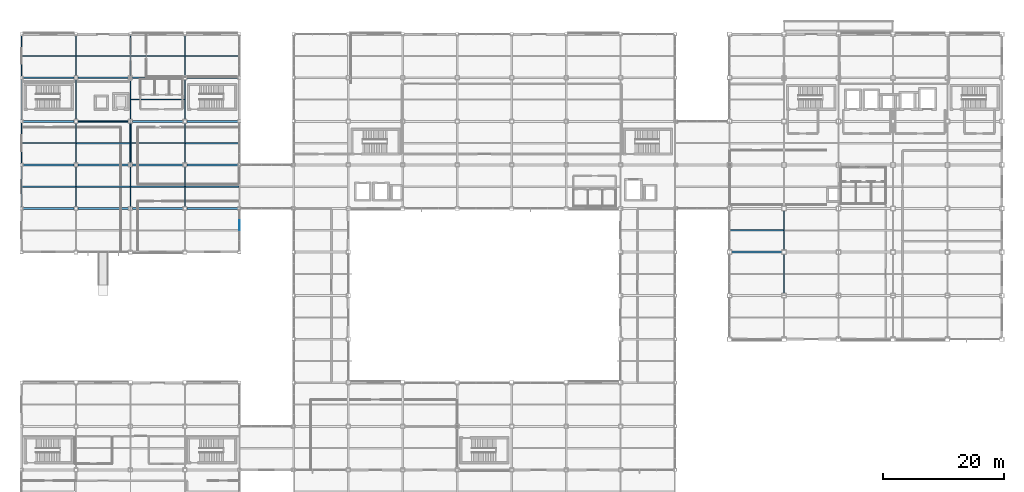
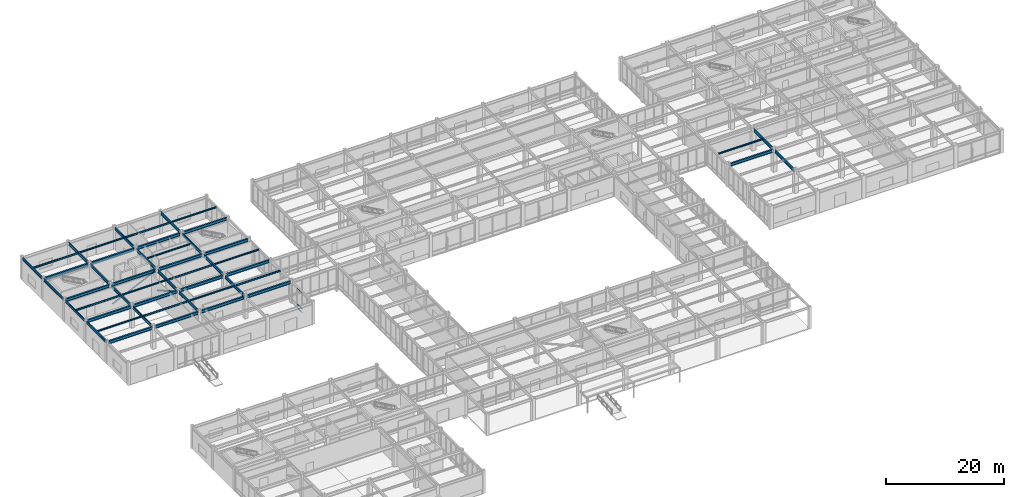
# One storey, part 48 of 112: 49 beams, 5 members, 1 element without a shape of its own.
"""IFC4 building model written with IfcOpenShell, lengths in metres."""

from ifc_helpers import new_model, si_unit, direction, frame, origin, origin_2d, place, context, subcontext, project, spatial, hollow_rectangle, hollow_circle, i_section, extrude, material, material_profile, profile_set, type_object, element, aggregate, save


model = new_model("IFC4")

# Units and contexts
model_context = context("Model", 3, precision=1e-05, world=origin(), true_north=direction((0.0, 1.0)))
body_context = subcontext(model_context, "Body", "Model", "MODEL_VIEW")
ifc_project = project(units=[si_unit("LENGTHUNIT", "METRE"), si_unit("AREAUNIT", "SQUARE_METRE"), si_unit("VOLUMEUNIT", "CUBIC_METRE"), si_unit("PLANEANGLEUNIT", "RADIAN"), si_unit("MASSUNIT", "GRAM", prefix="KILO")], contexts=[model_context])

# Site, building, storey
site_placement = place(None, origin())
site = spatial("IfcSite", under=ifc_project, at=site_placement, CompositionType="ELEMENT")
building_placement = place(site_placement, origin())
building = spatial("IfcBuilding", under=site, at=building_placement, Name="Kazanami Central Library", CompositionType="ELEMENT")
storey_placement = place(building_placement, origin())
storey = spatial("IfcBuildingStorey", under=building, at=storey_placement, Name="L01", CompositionType="ELEMENT", Elevation=0.0)

# Beams
ifc_material_1 = material(Name="Steel SN400B (235 MPa)", Category="steel")
ifc_material_profile_1 = material_profile(ifc_material_1, i_section(OverallWidth=0.175048828125, OverallDepth=0.35009765625, WebThickness=0.007080078125, FlangeThickness=0.010986328125, at=origin_2d()), Name="H-350x175x7x11")
ifc_profile_set_1 = profile_set([ifc_material_profile_1], Name="Steel SN400B (235 MPa)")
beam_type_1 = type_object("IfcBeamType", Name="BM-B-S2", PredefinedType="JOIST", material=ifc_profile_set_1)
for number, where, z_axis, x_axis, name in (
    (1, (0.097900390625, 75.60009765625, 4.3798828125), (1.0, 0.0, 0.0), (0.0, 1.0, 0.0), "Composite Secondary Joist B-S2 L01 Bay 1/L.1"),
    (2, (0.097900390625, 90.0, 4.3798828125), (1.0, 0.0, 0.0), (0.0, 1.0, 0.0), "Composite Secondary Joist B-S2 L01 Bay 1/N.1"),
    (3, (9.097900390625, 68.39990234375, 4.3798828125), (1.0, 0.0, 0.0), (0.0, 1.0, 0.0), "Composite Secondary Joist B-S2 L01 Bay 2/K.1"),
    (4, (18.097900390625, 75.60009765625, 4.3798828125), (1.0, 0.0, 0.0), (0.0, 1.0, 0.0), "Composite Secondary Joist B-S2 L01 Bay 3/L.1"),
    (5, (18.097900390625, 90.0, 4.3798828125), (1.0, 0.0, 0.0), (0.0, 1.0, 0.0), "Composite Secondary Joist B-S2 L01 Bay 3/N.1"),
    (6, (27.097900390625, 68.39990234375, 4.3798828125), (1.0, 0.0, 0.0), (0.0, 1.0, 0.0), "Composite Secondary Joist B-S2 L01 Bay 4/K.1"),
):
    element("IfcBeam", number, at=place(storey_placement, frame(where, z_axis=z_axis, x_axis=x_axis)), inside=storey, type_object=beam_type_1, Name=name, PredefinedType="JOIST", context=body_context, shape_type="SweptSolid", body=[
        extrude(i_section(OverallWidth=0.175048828125, OverallDepth=0.35009765625, WebThickness=0.007080078125, FlangeThickness=0.010986328125, at=origin_2d()), origin(), (0.0, 0.0, 1.0), 8.80419921875),
    ])
ifc_material_profile_2 = material_profile(ifc_material_1, i_section(OverallWidth=0.199951171875, OverallDepth=0.2939453125, WebThickness=0.008056640625, FlangeThickness=0.011962890625, at=origin_2d()), Name="H-294x200x8x12")
ifc_profile_set_2 = profile_set([ifc_material_profile_2], Name="Steel SN400B (235 MPa)")
beam_type_2 = type_object("IfcBeamType", Name="BM-B-S5", PredefinedType="JOIST", material=ifc_profile_set_2)
for number, where, z_axis, x_axis, name in (
    (7, (0.097900390625, 68.39990234375, 4.407958984375), (1.0, 0.0, 0.0), (0.0, 1.0, 0.0), "Composite Secondary Joist B-S5 L01 Bay 1/K.1"),
    (8, (9.097900390625, 75.60009765625, 4.407958984375), (1.0, 0.0, 0.0), (0.0, 1.0, 0.0), "Composite Secondary Joist B-S5 L01 Bay 2/L.1"),
    (9, (9.097900390625, 90.0, 4.407958984375), (1.0, 0.0, 0.0), (0.0, 1.0, 0.0), "Composite Secondary Joist B-S5 L01 Bay 2/N.1"),
    (10, (18.097900390625, 68.39990234375, 4.407958984375), (1.0, 0.0, 0.0), (0.0, 1.0, 0.0), "Composite Secondary Joist B-S5 L01 Bay 3/K.1"),
    (11, (18.097900390625, 82.800048828125, 4.407958984375), (1.0, 0.0, 0.0), (0.0, 1.0, 0.0), "Composite Secondary Joist B-S5 L01 Bay 3/M.1"),
    (12, (27.097900390625, 75.60009765625, 4.407958984375), (1.0, 0.0, 0.0), (0.0, 1.0, 0.0), "Composite Secondary Joist B-S5 L01 Bay 4/L.1"),
    (13, (27.097900390625, 90.0, 4.407958984375), (1.0, 0.0, 0.0), (0.0, 1.0, 0.0), "Composite Secondary Joist B-S5 L01 Bay 4/N.1"),
    (14, (117.097900390625, 61.199951171875, 4.407958984375), (1.0, 0.0, 0.0), (0.0, 1.0, 0.0), "Composite Secondary Joist B-S5 L01 Bay 14/J.1"),
):
    element("IfcBeam", number, at=place(storey_placement, frame(where, z_axis=z_axis, x_axis=x_axis)), inside=storey, type_object=beam_type_2, Name=name, PredefinedType="JOIST", context=body_context, shape_type="SweptSolid", body=[
        extrude(i_section(OverallWidth=0.199951171875, OverallDepth=0.2939453125, WebThickness=0.008056640625, FlangeThickness=0.011962890625, at=origin_2d()), origin(), (0.0, 0.0, 1.0), 8.80419921875),
    ])
ifc_material_2 = material(Name="Steel SN490B (325 MPa)", Category="steel")
ifc_material_profile_3 = material_profile(ifc_material_2, i_section(OverallWidth=0.300048828125, OverallDepth=0.60009765625, WebThickness=0.011962890625, FlangeThickness=0.02001953125, at=origin_2d()), Name="H-600x300x12x20")
ifc_profile_set_3 = profile_set([ifc_material_profile_3], Name="Steel SN490B (325 MPa)")
beam_type_3 = type_object("IfcBeamType", Name="BM-G-X1", PredefinedType="BEAM", material=ifc_profile_set_3)
beam_1_placement = place(storey_placement, frame((117.347900390625, 57.60009765625, 4.2548828125), z_axis=(1.0, 0.0, 0.0), x_axis=(0.0, 1.0, 0.0)))
element("IfcBeam", 15, at=beam_1_placement, inside=storey, type_object=beam_type_3, Name="Girder G-X1 L01 J/14-15", PredefinedType="BEAM", context=body_context, shape_type="SweptSolid", body=[
    extrude(i_section(OverallWidth=0.300048828125, OverallDepth=0.60009765625, WebThickness=0.011962890625, FlangeThickness=0.02001953125, at=origin_2d()), origin(), (0.0, 0.0, 1.0), 8.279052734375),
])
beam_2_placement = place(storey_placement, frame((0.248046875, 64.800048828125, 4.2548828125), z_axis=(1.0, 0.0, 0.0), x_axis=(0.0, 1.0, 0.0)))
element("IfcBeam", 16, at=beam_2_placement, inside=storey, type_object=beam_type_3, Name="Girder G-X1 L01 K/1-2", PredefinedType="BEAM", context=body_context, shape_type="SweptSolid", body=[
    extrude(i_section(OverallWidth=0.300048828125, OverallDepth=0.60009765625, WebThickness=0.011962890625, FlangeThickness=0.02001953125, at=origin_2d()), origin(), (0.0, 0.0, 1.0), 8.428955078125),
])
for number, where, z_axis, x_axis, name in (
    (17, (9.322998046875, 64.800048828125, 4.2548828125), (1.0, 0.0, 0.0), (0.0, 1.0, 0.0), "Girder G-X1 L01 K/2-3"),
    (18, (18.322998046875, 64.800048828125, 4.2548828125), (1.0, 0.0, 0.0), (0.0, 1.0, 0.0), "Girder G-X1 L01 K/3-4"),
):
    element("IfcBeam", number, at=place(storey_placement, frame(where, z_axis=z_axis, x_axis=x_axis)), inside=storey, type_object=beam_type_3, Name=name, PredefinedType="BEAM", context=body_context, shape_type="SweptSolid", body=[
        extrude(i_section(OverallWidth=0.300048828125, OverallDepth=0.60009765625, WebThickness=0.011962890625, FlangeThickness=0.02001953125, at=origin_2d()), origin(), (0.0, 0.0, 1.0), 8.35400390625),
    ])
for number, where, z_axis, x_axis, name in (
    (19, (27.322998046875, 64.800048828125, 4.2548828125), (1.0, 0.0, 0.0), (0.0, 1.0, 0.0), "Girder G-X1 L01 K/4-5"),
    (20, (0.248046875, 72.0, 4.2548828125), (1.0, 0.0, 0.0), (0.0, 1.0, 0.0), "Girder G-X1 L01 L/1-2"),
):
    element("IfcBeam", number, at=place(storey_placement, frame(where, z_axis=z_axis, x_axis=x_axis)), inside=storey, type_object=beam_type_3, Name=name, PredefinedType="BEAM", context=body_context, shape_type="SweptSolid", body=[
        extrude(i_section(OverallWidth=0.300048828125, OverallDepth=0.60009765625, WebThickness=0.011962890625, FlangeThickness=0.02001953125, at=origin_2d()), origin(), (0.0, 0.0, 1.0), 8.428955078125),
    ])
for number, where, z_axis, x_axis, name in (
    (21, (9.322998046875, 72.0, 4.2548828125), (1.0, 0.0, 0.0), (0.0, 1.0, 0.0), "Girder G-X1 L01 L/2-3"),
    (22, (18.322998046875, 72.0, 4.2548828125), (1.0, 0.0, 0.0), (0.0, 1.0, 0.0), "Girder G-X1 L01 L/3-4"),
):
    element("IfcBeam", number, at=place(storey_placement, frame(where, z_axis=z_axis, x_axis=x_axis)), inside=storey, type_object=beam_type_3, Name=name, PredefinedType="BEAM", context=body_context, shape_type="SweptSolid", body=[
        extrude(i_section(OverallWidth=0.300048828125, OverallDepth=0.60009765625, WebThickness=0.011962890625, FlangeThickness=0.02001953125, at=origin_2d()), origin(), (0.0, 0.0, 1.0), 8.35400390625),
    ])
for number, where, z_axis, x_axis, name in (
    (23, (27.322998046875, 72.0, 4.2548828125), (1.0, 0.0, 0.0), (0.0, 1.0, 0.0), "Girder G-X1 L01 L/4-5"),
    (24, (0.248046875, 79.199951171875, 4.2548828125), (1.0, 0.0, 0.0), (0.0, 1.0, 0.0), "Girder G-X1 L01 M/1-2"),
):
    element("IfcBeam", number, at=place(storey_placement, frame(where, z_axis=z_axis, x_axis=x_axis)), inside=storey, type_object=beam_type_3, Name=name, PredefinedType="BEAM", context=body_context, shape_type="SweptSolid", body=[
        extrude(i_section(OverallWidth=0.300048828125, OverallDepth=0.60009765625, WebThickness=0.011962890625, FlangeThickness=0.02001953125, at=origin_2d()), origin(), (0.0, 0.0, 1.0), 8.428955078125),
    ])
for number, where, z_axis, x_axis, name in (
    (25, (9.322998046875, 79.199951171875, 4.2548828125), (1.0, 0.0, 0.0), (0.0, 1.0, 0.0), "Girder G-X1 L01 M/2-3"),
    (26, (18.322998046875, 79.199951171875, 4.2548828125), (1.0, 0.0, 0.0), (0.0, 1.0, 0.0), "Girder G-X1 L01 M/3-4"),
):
    element("IfcBeam", number, at=place(storey_placement, frame(where, z_axis=z_axis, x_axis=x_axis)), inside=storey, type_object=beam_type_3, Name=name, PredefinedType="BEAM", context=body_context, shape_type="SweptSolid", body=[
        extrude(i_section(OverallWidth=0.300048828125, OverallDepth=0.60009765625, WebThickness=0.011962890625, FlangeThickness=0.02001953125, at=origin_2d()), origin(), (0.0, 0.0, 1.0), 8.35400390625),
    ])
for number, where, z_axis, x_axis, name in (
    (27, (27.322998046875, 79.199951171875, 4.2548828125), (1.0, 0.0, 0.0), (0.0, 1.0, 0.0), "Girder G-X1 L01 M/4-5"),
    (28, (0.248046875, 86.39990234375, 4.2548828125), (1.0, 0.0, 0.0), (0.0, 1.0, 0.0), "Girder G-X1 L01 N/1-2"),
):
    element("IfcBeam", number, at=place(storey_placement, frame(where, z_axis=z_axis, x_axis=x_axis)), inside=storey, type_object=beam_type_3, Name=name, PredefinedType="BEAM", context=body_context, shape_type="SweptSolid", body=[
        extrude(i_section(OverallWidth=0.300048828125, OverallDepth=0.60009765625, WebThickness=0.011962890625, FlangeThickness=0.02001953125, at=origin_2d()), origin(), (0.0, 0.0, 1.0), 8.428955078125),
    ])
for number, where, z_axis, x_axis, name in (
    (29, (9.322998046875, 86.39990234375, 4.2548828125), (1.0, 0.0, 0.0), (0.0, 1.0, 0.0), "Girder G-X1 L01 N/2-3"),
    (30, (18.322998046875, 86.39990234375, 4.2548828125), (1.0, 0.0, 0.0), (0.0, 1.0, 0.0), "Girder G-X1 L01 N/3-4"),
):
    element("IfcBeam", number, at=place(storey_placement, frame(where, z_axis=z_axis, x_axis=x_axis)), inside=storey, type_object=beam_type_3, Name=name, PredefinedType="BEAM", context=body_context, shape_type="SweptSolid", body=[
        extrude(i_section(OverallWidth=0.300048828125, OverallDepth=0.60009765625, WebThickness=0.011962890625, FlangeThickness=0.02001953125, at=origin_2d()), origin(), (0.0, 0.0, 1.0), 8.35400390625),
    ])
beam_3_placement = place(storey_placement, frame((27.322998046875, 86.39990234375, 4.2548828125), z_axis=(1.0, 0.0, 0.0), x_axis=(0.0, 1.0, 0.0)))
element("IfcBeam", 31, at=beam_3_placement, inside=storey, type_object=beam_type_3, Name="Girder G-X1 L01 N/4-5", PredefinedType="BEAM", context=body_context, shape_type="SweptSolid", body=[
    extrude(i_section(OverallWidth=0.300048828125, OverallDepth=0.60009765625, WebThickness=0.011962890625, FlangeThickness=0.02001953125, at=origin_2d()), origin(), (0.0, 0.0, 1.0), 8.428955078125),
])
ifc_material_profile_4 = material_profile(ifc_material_2, i_section(OverallWidth=0.199951171875, OverallDepth=0.60009765625, WebThickness=0.010986328125, FlangeThickness=0.01708984375, at=origin_2d()), Name="H-600x200x11x17")
ifc_profile_set_4 = profile_set([ifc_material_profile_4], Name="Steel SN490B (325 MPa)")
beam_type_4 = type_object("IfcBeamType", Name="BM-G-Y1", PredefinedType="BEAM", material=ifc_profile_set_4)
for number, where, z_axis, x_axis, name in (
    (32, (9.0, 65.123046875, 4.2548828125), (0.0, 1.0, 0.0), (-1.0, 0.0, 0.0), "Girder G-Y1 L01 2/K-L"),
    (33, (9.0, 72.322998046875, 4.2548828125), (0.0, 1.0, 0.0), (-1.0, 0.0, 0.0), "Girder G-Y1 L01 2/L-M"),
    (34, (9.0, 79.52294921875, 4.2548828125), (0.0, 1.0, 0.0), (-1.0, 0.0, 0.0), "Girder G-Y1 L01 2/M-N"),
):
    element("IfcBeam", number, at=place(storey_placement, frame(where, z_axis=z_axis, x_axis=x_axis)), inside=storey, type_object=beam_type_4, Name=name, PredefinedType="BEAM", context=body_context, shape_type="SweptSolid", body=[
        extrude(i_section(OverallWidth=0.199951171875, OverallDepth=0.60009765625, WebThickness=0.010986328125, FlangeThickness=0.01708984375, at=origin_2d()), origin(), (0.0, 0.0, 1.0), 6.553955078125),
    ])
beam_4_placement = place(storey_placement, frame((9.0, 86.722900390625, 4.2548828125), z_axis=(0.0, 1.0, 0.0), x_axis=(-1.0, 0.0, 0.0)))
element("IfcBeam", 35, at=beam_4_placement, inside=storey, type_object=beam_type_4, Name="Girder G-Y1 L01 2/N-O", PredefinedType="BEAM", context=body_context, shape_type="SweptSolid", body=[
    extrude(i_section(OverallWidth=0.199951171875, OverallDepth=0.60009765625, WebThickness=0.010986328125, FlangeThickness=0.01708984375, at=origin_2d()), origin(), (0.0, 0.0, 1.0), 6.629150390625),
])
for number, where, z_axis, x_axis, name in (
    (36, (18.0, 65.123046875, 4.2548828125), (0.0, 1.0, 0.0), (-1.0, 0.0, 0.0), "Girder G-Y1 L01 3/K-L"),
    (37, (18.0, 72.322998046875, 4.2548828125), (0.0, 1.0, 0.0), (-1.0, 0.0, 0.0), "Girder G-Y1 L01 3/L-M"),
    (38, (18.0, 79.52294921875, 4.2548828125), (0.0, 1.0, 0.0), (-1.0, 0.0, 0.0), "Girder G-Y1 L01 3/M-N"),
):
    element("IfcBeam", number, at=place(storey_placement, frame(where, z_axis=z_axis, x_axis=x_axis)), inside=storey, type_object=beam_type_4, Name=name, PredefinedType="BEAM", context=body_context, shape_type="SweptSolid", body=[
        extrude(i_section(OverallWidth=0.199951171875, OverallDepth=0.60009765625, WebThickness=0.010986328125, FlangeThickness=0.01708984375, at=origin_2d()), origin(), (0.0, 0.0, 1.0), 6.553955078125),
    ])
beam_5_placement = place(storey_placement, frame((18.0, 86.722900390625, 4.2548828125), z_axis=(0.0, 1.0, 0.0), x_axis=(-1.0, 0.0, 0.0)))
element("IfcBeam", 39, at=beam_5_placement, inside=storey, type_object=beam_type_4, Name="Girder G-Y1 L01 3/N-O", PredefinedType="BEAM", context=body_context, shape_type="SweptSolid", body=[
    extrude(i_section(OverallWidth=0.199951171875, OverallDepth=0.60009765625, WebThickness=0.010986328125, FlangeThickness=0.01708984375, at=origin_2d()), origin(), (0.0, 0.0, 1.0), 6.629150390625),
])
for number, where, z_axis, x_axis, name in (
    (40, (27.0, 65.123046875, 4.2548828125), (0.0, 1.0, 0.0), (-1.0, 0.0, 0.0), "Girder G-Y1 L01 4/K-L"),
    (41, (27.0, 72.322998046875, 4.2548828125), (0.0, 1.0, 0.0), (-1.0, 0.0, 0.0), "Girder G-Y1 L01 4/L-M"),
    (42, (27.0, 79.52294921875, 4.2548828125), (0.0, 1.0, 0.0), (-1.0, 0.0, 0.0), "Girder G-Y1 L01 4/M-N"),
):
    element("IfcBeam", number, at=place(storey_placement, frame(where, z_axis=z_axis, x_axis=x_axis)), inside=storey, type_object=beam_type_4, Name=name, PredefinedType="BEAM", context=body_context, shape_type="SweptSolid", body=[
        extrude(i_section(OverallWidth=0.199951171875, OverallDepth=0.60009765625, WebThickness=0.010986328125, FlangeThickness=0.01708984375, at=origin_2d()), origin(), (0.0, 0.0, 1.0), 6.553955078125),
    ])
beam_6_placement = place(storey_placement, frame((27.0, 86.722900390625, 4.2548828125), z_axis=(0.0, 1.0, 0.0), x_axis=(-1.0, 0.0, 0.0)))
element("IfcBeam", 43, at=beam_6_placement, inside=storey, type_object=beam_type_4, Name="Girder G-Y1 L01 4/N-O", PredefinedType="BEAM", context=body_context, shape_type="SweptSolid", body=[
    extrude(i_section(OverallWidth=0.199951171875, OverallDepth=0.60009765625, WebThickness=0.010986328125, FlangeThickness=0.01708984375, at=origin_2d()), origin(), (0.0, 0.0, 1.0), 6.629150390625),
])
for number, where, z_axis, x_axis, name in (
    (44, (126.0, 50.77294921875, 4.2548828125), (0.0, 1.0, 0.0), (-1.0, 0.0, 0.0), "Girder G-Y1 L01 15/H-J"),
    (45, (126.0, 57.972900390625, 4.2548828125), (0.0, 1.0, 0.0), (-1.0, 0.0, 0.0), "Girder G-Y1 L01 15/J-K"),
):
    element("IfcBeam", number, at=place(storey_placement, frame(where, z_axis=z_axis, x_axis=x_axis)), inside=storey, type_object=beam_type_4, Name=name, PredefinedType="BEAM", context=body_context, shape_type="SweptSolid", body=[
        extrude(i_section(OverallWidth=0.199951171875, OverallDepth=0.60009765625, WebThickness=0.010986328125, FlangeThickness=0.01708984375, at=origin_2d()), origin(), (0.0, 0.0, 1.0), 6.4541015625),
    ])
ifc_material_profile_5 = material_profile(ifc_material_2, i_section(OverallWidth=0.199951171875, OverallDepth=0.5, WebThickness=0.010009765625, FlangeThickness=0.01611328125, at=origin_2d()), Name="H-500x200x10x16")
ifc_profile_set_5 = profile_set([ifc_material_profile_5], Name="Steel SN490B (325 MPa)")
beam_type_5 = type_object("IfcBeamType", Name="BM-SP-1", PredefinedType="SPANDREL", material=ifc_profile_set_5)
for number, where, z_axis, x_axis, name in (
    (46, (0.0, 65.048095703125, 4.304931640625), (0.0, 1.0, 0.0), (-1.0, 0.0, 0.0), "Girder SP-1 L01 1/K-L"),
    (47, (0.0, 72.248046875, 4.304931640625), (0.0, 1.0, 0.0), (-1.0, 0.0, 0.0), "Girder SP-1 L01 1/L-M"),
):
    element("IfcBeam", number, at=place(storey_placement, frame(where, z_axis=z_axis, x_axis=x_axis)), inside=storey, type_object=beam_type_5, Name=name, PredefinedType="SPANDREL", context=body_context, shape_type="SweptSolid", body=[
        extrude(i_section(OverallWidth=0.199951171875, OverallDepth=0.5, WebThickness=0.010009765625, FlangeThickness=0.01611328125, at=origin_2d()), origin(), (0.0, 0.0, 1.0), 6.703857421875),
    ])
for number, where, z_axis, x_axis, name in (
    (48, (0.0, 79.447998046875, 4.304931640625), (0.0, 1.0, 0.0), (-1.0, 0.0, 0.0), "Girder SP-1 L01 1/M-N"),
    (49, (0.0, 86.64794921875, 4.304931640625), (0.0, 1.0, 0.0), (-1.0, 0.0, 0.0), "Girder SP-1 L01 1/N-O"),
):
    element("IfcBeam", number, at=place(storey_placement, frame(where, z_axis=z_axis, x_axis=x_axis)), inside=storey, type_object=beam_type_5, Name=name, PredefinedType="SPANDREL", context=body_context, shape_type="SweptSolid", body=[
        extrude(i_section(OverallWidth=0.199951171875, OverallDepth=0.5, WebThickness=0.010009765625, FlangeThickness=0.01611328125, at=origin_2d()), origin(), (0.0, 0.0, 1.0), 6.7041015625),
    ])

# Members
ifc_material_3 = material(Name="Steel STK490 (315 MPa)", Category="steel")
ifc_material_profile_6 = material_profile(ifc_material_3, hollow_circle(Radius=0.177734375, WallThickness=0.0126953125, at=origin_2d()), Name="CHS-355.6x12.7")
ifc_profile_set_6 = profile_set([ifc_material_profile_6], Name="Steel STK490 (315 MPa)")
member_type_1 = type_object("IfcMemberType", Name="MEM-BR-01", PredefinedType="BRACE", material=ifc_profile_set_6)
member_1_placement = place(storey_placement, frame((18.0, 78.875, 0.25), z_axis=(0.0, -0.874945269019, 0.484221825428), x_axis=(1.0, 0.0, 0.0)))
element("IfcMember", 50, at=member_1_placement, inside=storey, type_object=member_type_1, Name="Concentric Steel Brace BR-01 L01 BF-V4B", PredefinedType="BRACE", context=body_context, shape_type="SweptSolid", body=[
    extrude(hollow_circle(Radius=0.177734375, WallThickness=0.0126953125, at=origin_2d()), origin(), (0.0, 0.0, 1.0), 7.486328125),
])
ifc_material_profile_7 = material_profile(ifc_material_3, hollow_rectangle(XDim=0.14990234375, YDim=0.25, WallThickness=0.009033203125, at=origin_2d()), Name="STKR-250x150x9")
ifc_profile_set_7 = profile_set([ifc_material_profile_7], Name="Steel STK490 (315 MPa)")
member_type_2 = type_object("IfcMemberType", Name="MEM-BR-09", PredefinedType="BRACE", material=ifc_profile_set_7)
member_2_placement = place(storey_placement, frame((9.324951171875, 79.199951171875, 0.25), z_axis=(0.905837083306, 0.0, 0.423626225001), x_axis=(0.0, 1.0, 0.0)))
element("IfcMember", 51, at=member_2_placement, inside=storey, type_object=member_type_2, Name="Concentric Steel Brace BR-09 L01 BF-V4A", PredefinedType="BRACE", context=body_context, shape_type="SweptSolid", body=[
    extrude(hollow_rectangle(XDim=0.14990234375, YDim=0.25, WallThickness=0.009033203125, at=origin_2d()), origin(), (0.0, 0.0, 1.0), 9.218017578125),
])

# Curtain wall, members
ifc_material_4 = material(Name="Acid-Etched Low-E Laminated Glass", Category="glass")
curtain_wall_type = type_object("IfcCurtainWallType", Name="CW-6700x4055-M180", PredefinedType="USERDEFINED", material=ifc_material_4)
curtain_wall_placement = place(storey_placement, origin())
curtain_wall = element("IfcCurtainWall", 52, at=curtain_wall_placement, inside=storey, type_object=curtain_wall_type, Name="Covered Link Bridge Curtain Wall CW-09 L01 E-5-08", ObjectType="UNITISED CURTAIN WALL", PredefinedType="USERDEFINED")
ifc_material_5 = material(Name="Anodised Aluminium A6063-T5", Category="aluminium")
ifc_material_profile_8 = material_profile(ifc_material_5, hollow_rectangle(XDim=0.06005859375, YDim=0.1201171875, WallThickness=0.00341796875, at=origin_2d()), Name="ALU-TRAN-60x120x3.5")
ifc_profile_set_8 = profile_set([ifc_material_profile_8], Name="Anodised Aluminium A6063-T5")
member_type_3 = type_object("IfcMemberType", Name="MEM-CW-T3", PredefinedType="USERDEFINED", material=ifc_profile_set_8)
member_3_placement = place(storey_placement, frame((36.0, 62.844970703125, 0.030029296875), z_axis=(0.0, -1.0, 0.0), x_axis=(1.0, 0.0, 0.0)))
member_3 = element("IfcMember", 53, at=member_3_placement, type_object=member_type_3, Name="CW-09 transom 2.1", ObjectType="TRANSOM", PredefinedType="USERDEFINED", context=body_context, shape_type="SweptSolid", body=[
    extrude(hollow_rectangle(XDim=0.06005859375, YDim=0.1201171875, WallThickness=0.00341796875, at=origin_2d()), origin(), (0.0, 0.0, 1.0), 1.614990234375),
])
member_4_placement = place(storey_placement, frame((36.0, 62.844970703125, 0.780029296875), z_axis=(0.0, -1.0, 0.0), x_axis=(1.0, 0.0, 0.0)))
member_4 = element("IfcMember", 54, at=member_4_placement, type_object=member_type_3, Name="CW-09 transom 2.2", ObjectType="TRANSOM", PredefinedType="USERDEFINED", context=body_context, shape_type="SweptSolid", body=[
    extrude(hollow_rectangle(XDim=0.06005859375, YDim=0.1201171875, WallThickness=0.00341796875, at=origin_2d()), origin(), (0.0, 0.0, 1.0), 1.614990234375),
])
member_5_placement = place(storey_placement, frame((36.0, 62.844970703125, 4.02490234375), z_axis=(0.0, -1.0, 0.0), x_axis=(1.0, 0.0, 0.0)))
member_5 = element("IfcMember", 55, at=member_5_placement, type_object=member_type_3, Name="CW-09 transom 2.3", ObjectType="TRANSOM", PredefinedType="USERDEFINED", context=body_context, shape_type="SweptSolid", body=[
    extrude(hollow_rectangle(XDim=0.06005859375, YDim=0.1201171875, WallThickness=0.00341796875, at=origin_2d()), origin(), (0.0, 0.0, 1.0), 1.614990234375),
])
aggregate(curtain_wall, [member_3, member_4, member_5])

save(model, "model.ifc")
